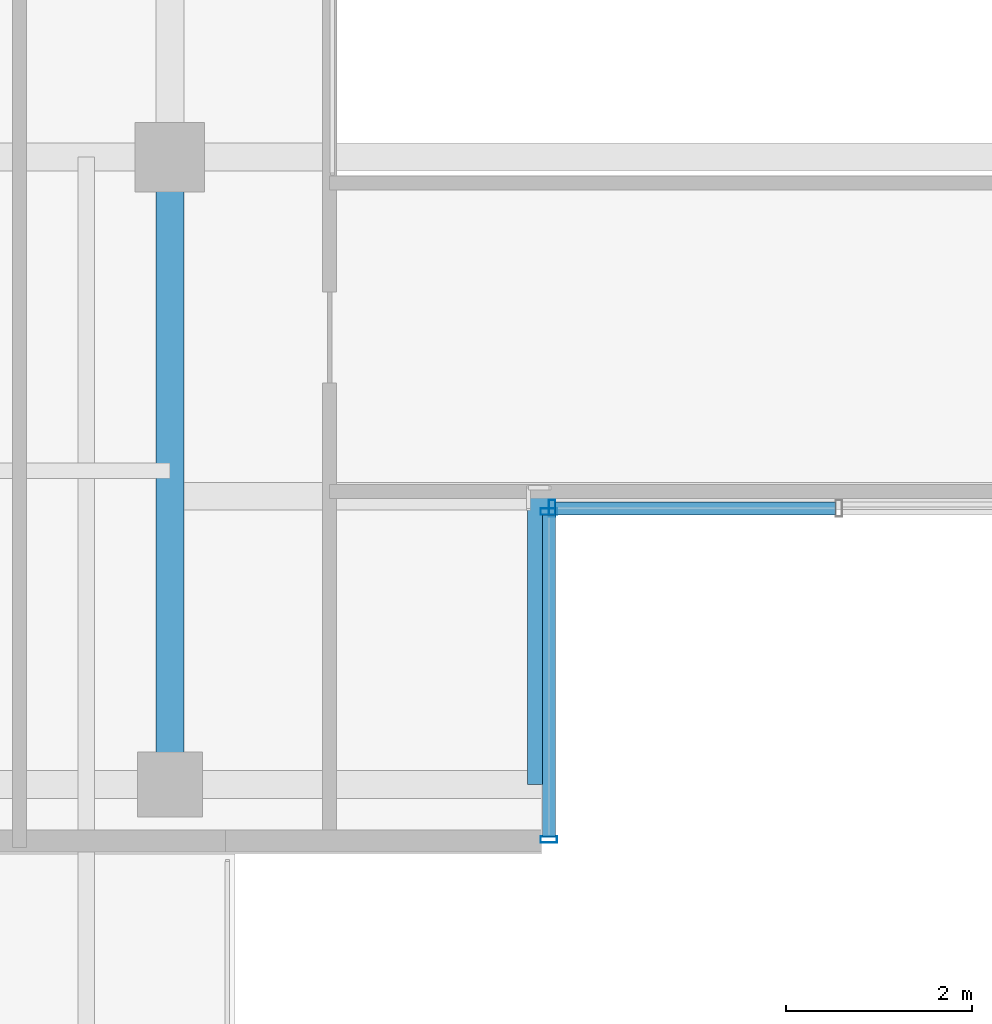
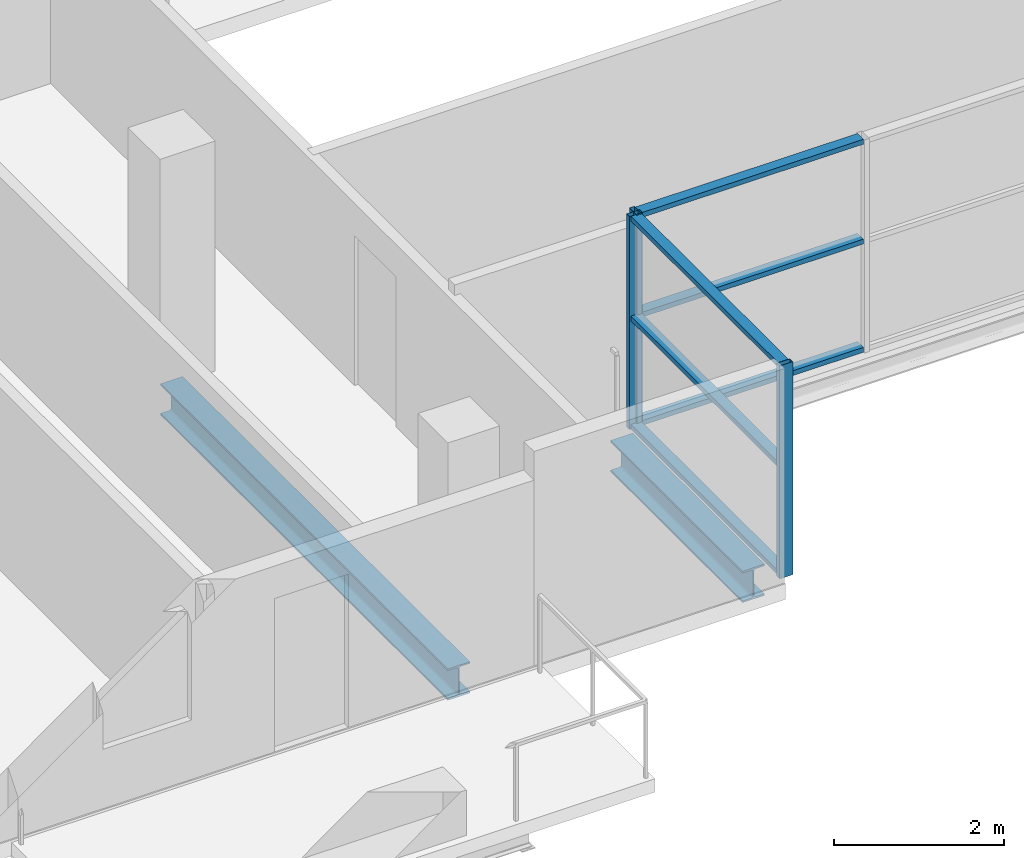
# One storey, part 6 of 22: 9 members, 2 beams, 2 elements without a shape of their own.
"""IFC4 building model written with IfcOpenShell, lengths in metres."""

from ifc_helpers import new_model, si_unit, direction, frame, origin, origin_2d, place, context, subcontext, project, spatial, hollow_rectangle, i_section, extrude, source, transform, mapped, material, layer, layer_set, material_profile, profile_set, type_object, element, aggregate, save


model = new_model("IFC4")

# Units and contexts
model_context = context("Model", 3, precision=1e-05, world=origin(), true_north=direction((0.0, 1.0)))
body_context = subcontext(model_context, "Body", "Model", "MODEL_VIEW")
ifc_project = project(units=[si_unit("LENGTHUNIT", "METRE"), si_unit("AREAUNIT", "SQUARE_METRE"), si_unit("VOLUMEUNIT", "CUBIC_METRE"), si_unit("PLANEANGLEUNIT", "RADIAN"), si_unit("MASSUNIT", "GRAM", prefix="KILO")], contexts=[model_context])

# Site, building, storey
site_placement = place(None, origin())
site = spatial("IfcSite", under=ifc_project, at=site_placement, CompositionType="ELEMENT")
building_placement = place(site_placement, origin())
building = spatial("IfcBuilding", under=site, at=building_placement, Name="Zarnakvel Exchange Tower", CompositionType="ELEMENT")
storey_placement = place(building_placement, frame((0.0, 0.0, 225.39990234375)))
storey = spatial("IfcBuildingStorey", under=building, at=storey_placement, Name="L63", CompositionType="ELEMENT", Elevation=225.39990234375)

# Beams
ifc_material_1 = material(Name="Steel S355", Category="steel")
ifc_material_profile_1 = material_profile(ifc_material_1, i_section(OverallWidth=0.300048828125, OverallDepth=0.449951171875, WebThickness=0.013916015625, FlangeThickness=0.02587890625, FilletRadius=0.027099609375, at=origin_2d()))
ifc_profile_set_1 = profile_set([ifc_material_profile_1], Name="Steel S355")
beam_type = type_object("IfcBeamType", Name="G-07", PredefinedType="BEAM", material=ifc_profile_set_1)
beam_1_placement = place(storey_placement, frame((-3.199951171875, -16.35009765625, -0.449951171875), z_axis=(0.0, 1.0, 0.0), x_axis=(-1.0, 0.0, 0.0)))
element("IfcBeam", 1, at=beam_1_placement, inside=storey, type_object=beam_type, Name="L63 South Slot West Cheek Beam", PredefinedType="BEAM", context=body_context, shape_type="SweptSolid", body=[
    extrude(i_section(OverallWidth=0.300048828125, OverallDepth=0.449951171875, WebThickness=0.013916015625, FlangeThickness=0.02587890625, FilletRadius=0.027099609375, at=origin_2d()), origin(), (0.0, 0.0, 1.0), 3.10009765625),
])
beam_2_placement = place(storey_placement, frame((-7.199951171875, -16.35009765625, -0.449951171875), z_axis=(0.0, 1.0, 0.0), x_axis=(-1.0, 0.0, 0.0)))
element("IfcBeam", 2, at=beam_2_placement, inside=storey, type_object=beam_type, Name="L63 Tower N-S Frame Beam", PredefinedType="BEAM", context=body_context, shape_type="SweptSolid", body=[
    extrude(i_section(OverallWidth=0.300048828125, OverallDepth=0.449951171875, WebThickness=0.013916015625, FlangeThickness=0.02587890625, FilletRadius=0.027099609375, at=origin_2d()), origin(), (0.0, 0.0, 1.0), 6.75),
])

# Curtain wall, members
ifc_material_2 = material(Name="Architectural Bronze Anodised Aluminium", Category="aluminium")
ifc_layer = layer(ifc_material_2, 0.179931640625)
ifc_layer_set = layer_set([ifc_layer], Name="Architectural Bronze Anodised Aluminium")
curtain_wall_type = type_object("IfcCurtainWallType", Name="CW-05", PredefinedType="NOTDEFINED", material=ifc_layer_set)
curtain_wall_1_placement = place(storey_placement, origin())
curtain_wall_1 = element("IfcCurtainWall", 3, at=curtain_wall_1_placement, inside=storey, type_object=curtain_wall_type, Name="L63 Curtain Wall CW-L63-SLW (CW-05)", PredefinedType="NOTDEFINED")
ifc_material_profile_2 = material_profile(ifc_material_2, hollow_rectangle(XDim=0.179931640625, YDim=0.070068359375, WallThickness=0.00390625, at=origin_2d()))
ifc_profile_set_2 = profile_set([ifc_material_profile_2], Name="Architectural Bronze Anodised Aluminium")
member_type_1 = type_object("IfcMemberType", Name="CWM-05", PredefinedType="MULLION", material=ifc_profile_set_2)
shared_shape_1 = source(origin(), body_context, "Body", "SweptSolid", [
    extrude(hollow_rectangle(XDim=0.179931640625, YDim=0.070068359375, WallThickness=0.00390625, at=origin_2d()), origin(), (0.0, 0.0, 1.0), 3.05517578125),
])
member_1_placement = place(storey_placement, frame((-3.1201171875, -16.945068359375, 0.0), z_axis=(0.0, 0.0, 1.0), x_axis=(-1.0, 0.0, 0.0)))
member_1 = element("IfcMember", 4, at=member_1_placement, type_object=member_type_1, Name="CW-05 mullion 1", PredefinedType="MULLION", context=body_context, shape_type="MappedRepresentation", body=[
    mapped(shared_shape_1, transform((0.0, 0.0, 0.0), x_axis=(1.0, 0.0, 0.0), y_axis=(0.0, 1.0, 0.0), z_axis=(0.0, 0.0, 1.0), scale=1.0)),
])
member_2_placement = place(storey_placement, frame((-3.1201171875, -13.4150390625, 0.0), z_axis=(0.0, 0.0, 1.0), x_axis=(-1.0, 0.0, 0.0)))
member_2 = element("IfcMember", 5, at=member_2_placement, type_object=member_type_1, Name="CW-05 mullion 2", PredefinedType="MULLION", context=body_context, shape_type="MappedRepresentation", body=[
    mapped(shared_shape_1, transform((0.0, 0.0, 0.0), x_axis=(1.0, 0.0, 0.0), y_axis=(0.0, 1.0, 0.0), z_axis=(0.0, 0.0, 1.0), scale=1.0)),
])

# Curtain wall, member
curtain_wall_2_placement = place(storey_placement, origin())
curtain_wall_2 = element("IfcCurtainWall", 6, at=curtain_wall_2_placement, inside=storey, type_object=curtain_wall_type, Name="L63 Curtain Wall CW-L63-SLB (CW-05)", PredefinedType="NOTDEFINED")
member_3_placement = place(storey_placement, frame((-3.0849609375, -13.3798828125, 0.0), z_axis=(0.0, 0.0, 1.0), x_axis=(0.0, 1.0, 0.0)))
member_3 = element("IfcMember", 7, at=member_3_placement, type_object=member_type_1, Name="CW-05 mullion 1", PredefinedType="MULLION", context=body_context, shape_type="MappedRepresentation", body=[
    mapped(shared_shape_1, transform((0.0, 0.0, 0.0), x_axis=(1.0, 0.0, 0.0), y_axis=(0.0, 1.0, 0.0), z_axis=(0.0, 0.0, 1.0), scale=1.0)),
])

# Member
ifc_material_profile_3 = material_profile(ifc_material_2, hollow_rectangle(XDim=0.139892578125, YDim=0.070068359375, WallThickness=0.00390625, at=origin_2d()))
ifc_profile_set_3 = profile_set([ifc_material_profile_3], Name="Architectural Bronze Anodised Aluminium")
member_type_2 = type_object("IfcMemberType", Name="CWT-05", PredefinedType="USERDEFINED", material=ifc_profile_set_3)
shared_shape_2 = source(origin(), body_context, "Body", "SweptSolid", [
    extrude(hollow_rectangle(XDim=0.139892578125, YDim=0.070068359375, WallThickness=0.00390625, at=origin_2d()), origin(), (0.0, 0.0, 1.0), 3.4599609375),
])
member_4_placement = place(storey_placement, frame((-3.1201171875, -16.909912109375, 0.03515625), z_axis=(0.0, 1.0, 0.0), x_axis=(-1.0, 0.0, 0.0)))
member_4 = element("IfcMember", 8, at=member_4_placement, type_object=member_type_2, Name="CW-05 transom 1.1", ObjectType="TRANSOM", PredefinedType="USERDEFINED", context=body_context, shape_type="MappedRepresentation", body=[
    mapped(shared_shape_2, transform((0.0, 0.0, 0.0), x_axis=(1.0, 0.0, 0.0), y_axis=(0.0, 1.0, 0.0), z_axis=(0.0, 0.0, 1.0), scale=1.0)),
])

member_5_placement = place(storey_placement, frame((-3.1201171875, -16.909912109375, 1.588623046875), z_axis=(0.0, 1.0, 0.0), x_axis=(-1.0, 0.0, 0.0)))
member_5 = element("IfcMember", 9, at=member_5_placement, type_object=member_type_2, Name="CW-05 transom 1.2", ObjectType="TRANSOM", PredefinedType="USERDEFINED", context=body_context, shape_type="MappedRepresentation", body=[
    mapped(shared_shape_2, transform((0.0, 0.0, 0.0), x_axis=(1.0, 0.0, 0.0), y_axis=(0.0, 1.0, 0.0), z_axis=(0.0, 0.0, 1.0), scale=1.0)),
])

member_6_placement = place(storey_placement, frame((-3.1201171875, -16.909912109375, 3.02001953125), z_axis=(0.0, 1.0, 0.0), x_axis=(-1.0, 0.0, 0.0)))
member_6 = element("IfcMember", 10, at=member_6_placement, type_object=member_type_2, Name="CW-05 transom 1.3", ObjectType="TRANSOM", PredefinedType="USERDEFINED", context=body_context, shape_type="MappedRepresentation", body=[
    mapped(shared_shape_2, transform((0.0, 0.0, 0.0), x_axis=(1.0, 0.0, 0.0), y_axis=(0.0, 1.0, 0.0), z_axis=(0.0, 0.0, 1.0), scale=1.0)),
])

aggregate(curtain_wall_1, [member_1, member_2, member_4, member_5, member_6])

shared_shape_3 = source(origin(), body_context, "Body", "SweptSolid", [
    extrude(hollow_rectangle(XDim=0.139892578125, YDim=0.070068359375, WallThickness=0.00390625, at=origin_2d()), origin(), (0.0, 0.0, 1.0), 3.01513671875),
])
member_7_placement = place(storey_placement, frame((-3.050048828125, -13.3798828125, 0.03515625), z_axis=(1.0, 0.0, 0.0), x_axis=(0.0, 1.0, 0.0)))
member_7 = element("IfcMember", 11, at=member_7_placement, type_object=member_type_2, Name="CW-05 transom 1.1", ObjectType="TRANSOM", PredefinedType="USERDEFINED", context=body_context, shape_type="MappedRepresentation", body=[
    mapped(shared_shape_3, transform((0.0, 0.0, 0.0), x_axis=(1.0, 0.0, 0.0), y_axis=(0.0, 1.0, 0.0), z_axis=(0.0, 0.0, 1.0), scale=1.0)),
])

member_8_placement = place(storey_placement, frame((-3.050048828125, -13.3798828125, 1.588623046875), z_axis=(1.0, 0.0, 0.0), x_axis=(0.0, 1.0, 0.0)))
member_8 = element("IfcMember", 12, at=member_8_placement, type_object=member_type_2, Name="CW-05 transom 1.2", ObjectType="TRANSOM", PredefinedType="USERDEFINED", context=body_context, shape_type="MappedRepresentation", body=[
    mapped(shared_shape_3, transform((0.0, 0.0, 0.0), x_axis=(1.0, 0.0, 0.0), y_axis=(0.0, 1.0, 0.0), z_axis=(0.0, 0.0, 1.0), scale=1.0)),
])

member_9_placement = place(storey_placement, frame((-3.050048828125, -13.3798828125, 3.02001953125), z_axis=(1.0, 0.0, 0.0), x_axis=(0.0, 1.0, 0.0)))
member_9 = element("IfcMember", 13, at=member_9_placement, type_object=member_type_2, Name="CW-05 transom 1.3", ObjectType="TRANSOM", PredefinedType="USERDEFINED", context=body_context, shape_type="MappedRepresentation", body=[
    mapped(shared_shape_3, transform((0.0, 0.0, 0.0), x_axis=(1.0, 0.0, 0.0), y_axis=(0.0, 1.0, 0.0), z_axis=(0.0, 0.0, 1.0), scale=1.0)),
])

aggregate(curtain_wall_2, [member_3, member_7, member_8, member_9])

save(model, "model.ifc")
